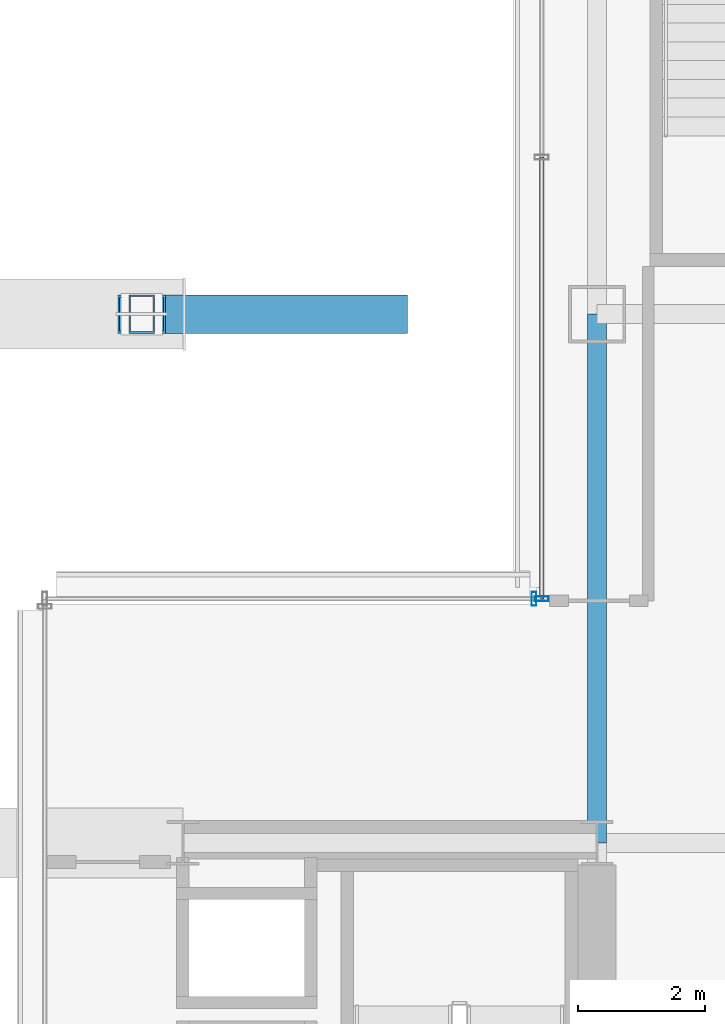
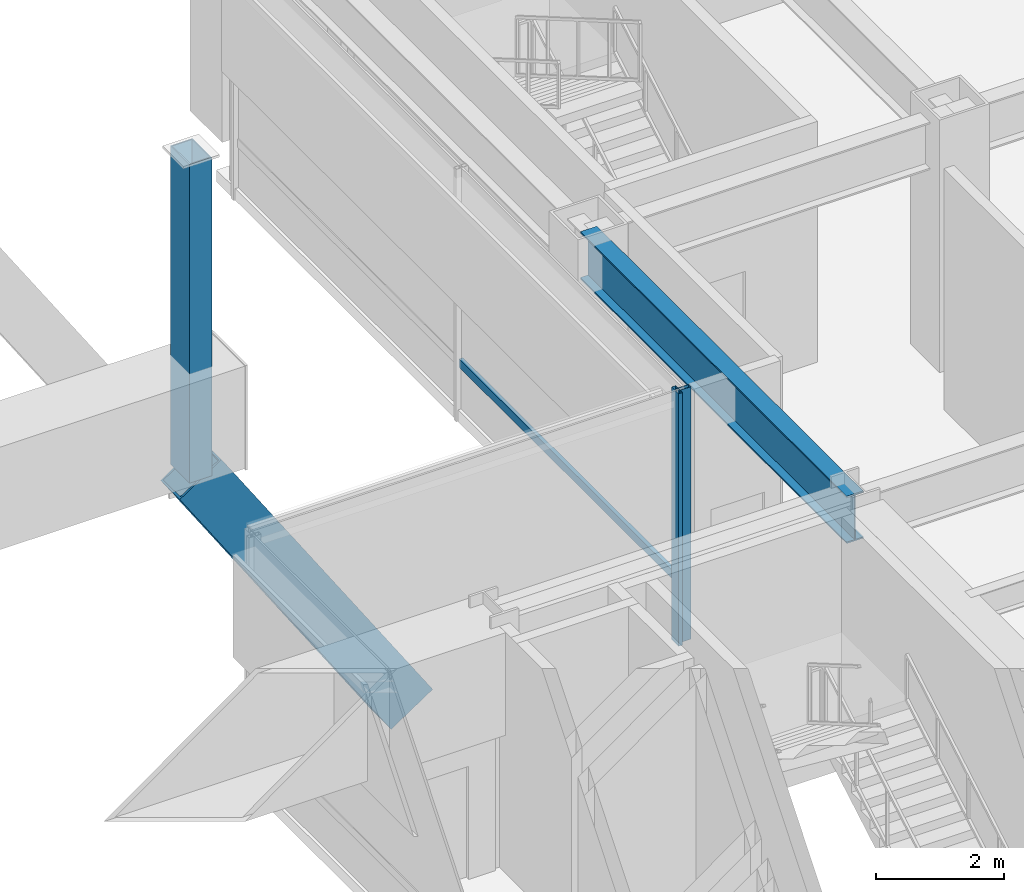
# One storey, part 23 of 42: 5 members, 1 beam, 2 elements without a shape of their own.
"""IFC4 building model written with IfcOpenShell, lengths in metres."""

from ifc_helpers import new_model, si_unit, direction, frame, origin, origin_2d, place, context, subcontext, project, spatial, hollow_rectangle, i_section, extrude, material, layer, layer_set, material_profile, profile_set, type_object, element, aggregate, save


model = new_model("IFC4")

# Units and contexts
model_context = context("Model", 3, precision=1e-05, world=origin(), true_north=direction((0.0, 1.0)))
body_context = subcontext(model_context, "Body", "Model", "MODEL_VIEW")
ifc_project = project(units=[si_unit("LENGTHUNIT", "METRE"), si_unit("AREAUNIT", "SQUARE_METRE"), si_unit("VOLUMEUNIT", "CUBIC_METRE"), si_unit("PLANEANGLEUNIT", "RADIAN"), si_unit("MASSUNIT", "GRAM", prefix="KILO")], contexts=[model_context])

# Site, building, storey
site_placement = place(None, origin())
site = spatial("IfcSite", under=ifc_project, at=site_placement, CompositionType="ELEMENT")
building_placement = place(site_placement, origin())
building = spatial("IfcBuilding", under=site, at=building_placement, Name="Brelmoor Portico Tower", CompositionType="ELEMENT")
storey_placement = place(building_placement, frame((0.0, 0.0, 9.60009765625)))
storey = spatial("IfcBuildingStorey", under=building, at=storey_placement, Name="L02", CompositionType="ELEMENT", Elevation=9.60009765625)

# Beam
ifc_material_1 = material(Name="Steel Q355B", Category="steel")
ifc_material_profile_1 = material_profile(ifc_material_1, i_section(OverallWidth=0.300048828125, OverallDepth=0.89990234375, WebThickness=0.01611328125, FlangeThickness=0.028076171875, at=origin_2d()), Name="HN 900x300x16x28")
ifc_profile_set_1 = profile_set([ifc_material_profile_1], Name="Steel Q355B")
beam_type = type_object("IfcBeamType", Name="BM-PG-900", PredefinedType="BEAM", material=ifc_profile_set_1)
beam_placement = place(storey_placement, frame((14.550048828125, 9.75, 4.1298828125), z_axis=(0.0, 1.0, 0.0), x_axis=(-1.0, 0.0, 0.0)))
element("IfcBeam", 1, at=beam_placement, inside=storey, type_object=beam_type, Name="L02 Primary Floor Girder PG-16", PredefinedType="BEAM", context=body_context, shape_type="SweptSolid", body=[
    extrude(i_section(OverallWidth=0.300048828125, OverallDepth=0.89990234375, WebThickness=0.01611328125, FlangeThickness=0.028076171875, at=origin_2d()), origin(), (0.0, 0.0, 1.0), 8.300048828125),
])

# Members
ifc_material_2 = material(Name="Steel Q420B", Category="steel")
ifc_material_profile_2 = material_profile(ifc_material_2, hollow_rectangle(XDim=0.60009765625, YDim=0.89990234375, WallThickness=0.035888671875, at=origin_2d()), Name="RHS 600x900x36")
ifc_profile_set_2 = profile_set([ifc_material_profile_2], Name="Steel Q420B")
member_type_1 = type_object("IfcMemberType", Name="MB-ARCH-RIB", PredefinedType="CHORD", material=ifc_profile_set_2)
member_1_placement = place(storey_placement, frame((7.39990234375, 18.050048828125, 2.5), z_axis=(0.554691972244, 0.0, -0.832055776933), x_axis=(0.0, 1.0, 0.0)))
element("IfcMember", 2, at=member_1_placement, inside=storey, type_object=member_type_1, Name="Giant Portico Arch Rib N2-7", PredefinedType="CHORD", context=body_context, shape_type="SweptSolid", body=[
    extrude(hollow_rectangle(XDim=0.60009765625, YDim=0.89990234375, WallThickness=0.035888671875, at=origin_2d()), origin(), (0.0, 0.0, 1.0), 6.850830078125),
])
ifc_material_profile_3 = material_profile(ifc_material_1, hollow_rectangle(XDim=0.39990234375, YDim=0.60009765625, WallThickness=0.02392578125, at=origin_2d()), Name="RHS 400x600x24")
ifc_profile_set_3 = profile_set([ifc_material_profile_3], Name="Steel Q355B")
member_type_2 = type_object("IfcMemberType", Name="MB-ARCH-STRUT", PredefinedType="BRACE", material=ifc_profile_set_3)
member_2_placement = place(storey_placement, frame((7.39990234375, 18.050048828125, 2.5), z_axis=(0.0, 0.0, 1.0), x_axis=(1.0, 0.0, 0.0)))
element("IfcMember", 3, at=member_2_placement, inside=storey, type_object=member_type_2, Name="Portico Arch Spandrel Strut N2-5", PredefinedType="BRACE", context=body_context, shape_type="SweptSolid", body=[
    extrude(hollow_rectangle(XDim=0.39990234375, YDim=0.60009765625, WallThickness=0.02392578125, at=origin_2d()), origin(), (0.0, 0.0, 1.0), 6.054931640625),
])

# Curtain wall, member
ifc_material_3 = material(Name="Anodised Aluminium Alloy 6063-T6", Category="aluminium")
ifc_layer = layer(ifc_material_3, 0.179931640625)
ifc_layer_set = layer_set([ifc_layer], Name="Anodised Aluminium Alloy 6063-T6")
curtain_wall_type = type_object("IfcCurtainWallType", Name="CW-PODIUM-ARCH", PredefinedType="NOTDEFINED", material=ifc_layer_set)
curtain_wall_1_placement = place(storey_placement, origin())
curtain_wall_1 = element("IfcCurtainWall", 4, at=curtain_wall_1_placement, inside=storey, type_object=curtain_wall_type, Name="L02 Curtain Wall CW-L02-10", PredefinedType="NOTDEFINED")
ifc_material_profile_4 = material_profile(ifc_material_3, hollow_rectangle(XDim=0.074951171875, YDim=0.219970703125, WallThickness=0.0048828125, at=origin_2d()), Name="ALU MULLION 75x220")
ifc_profile_set_4 = profile_set([ifc_material_profile_4], Name="Anodised Aluminium Alloy 6063-T6")
member_type_3 = type_object("IfcMemberType", Name="MB-CW-MULL-220", PredefinedType="MULLION", material=ifc_profile_set_4)
member_3_placement = place(storey_placement, frame((13.679931640625, 13.580078125, -0.22021484375), z_axis=(0.0, 0.0, 1.0), x_axis=(0.0, 1.0, 0.0)))
member_3 = element("IfcMember", 5, at=member_3_placement, type_object=member_type_3, Name="CW-L02-10 Mullion 00", PredefinedType="MULLION", context=body_context, shape_type="SweptSolid", body=[
    extrude(hollow_rectangle(XDim=0.074951171875, YDim=0.219970703125, WallThickness=0.0048828125, at=origin_2d()), origin(), (0.0, 0.0, 1.0), 4.800048828125),
])

curtain_wall_2_placement = place(storey_placement, origin())
curtain_wall_2 = element("IfcCurtainWall", 6, at=curtain_wall_2_placement, inside=storey, type_object=curtain_wall_type, Name="L02 Curtain Wall CW-L02-14", PredefinedType="NOTDEFINED")
member_4_placement = place(storey_placement, frame((13.56005859375, 13.580078125, -0.22021484375), z_axis=(0.0, 0.0, 1.0), x_axis=(1.0, 0.0, 0.0)))
member_4 = element("IfcMember", 7, at=member_4_placement, type_object=member_type_3, Name="CW-L02-14 Mullion 01", PredefinedType="MULLION", context=body_context, shape_type="SweptSolid", body=[
    extrude(hollow_rectangle(XDim=0.074951171875, YDim=0.219970703125, WallThickness=0.0048828125, at=origin_2d()), origin(), (0.0, 0.0, 1.0), 4.800048828125),
])
aggregate(curtain_wall_2, [member_4])

# Member
ifc_material_profile_5 = material_profile(ifc_material_3, hollow_rectangle(XDim=0.070068359375, YDim=0.159912109375, WallThickness=0.00390625, at=origin_2d()), Name="ALU TRANSOM 70x160")
ifc_profile_set_5 = profile_set([ifc_material_profile_5], Name="Anodised Aluminium Alloy 6063-T6")
member_type_4 = type_object("IfcMemberType", Name="MB-CW-TRAN-160", PredefinedType="USERDEFINED", material=ifc_profile_set_5)
member_5_placement = place(storey_placement, frame((13.679931640625, 13.580078125, 0.849853515625), z_axis=(0.0, 1.0, 0.0), x_axis=(-1.0, 0.0, 0.0)))
member_5 = element("IfcMember", 8, at=member_5_placement, type_object=member_type_4, Name="CW-L02-10 Transom 1-00", ObjectType="TRANSOM", PredefinedType="USERDEFINED", context=body_context, shape_type="SweptSolid", body=[
    extrude(hollow_rectangle(XDim=0.070068359375, YDim=0.159912109375, WallThickness=0.00390625, at=origin_2d()), origin(), (0.0, 0.0, 1.0), 6.934814453125),
])

aggregate(curtain_wall_1, [member_3, member_5])

save(model, "model.ifc")
